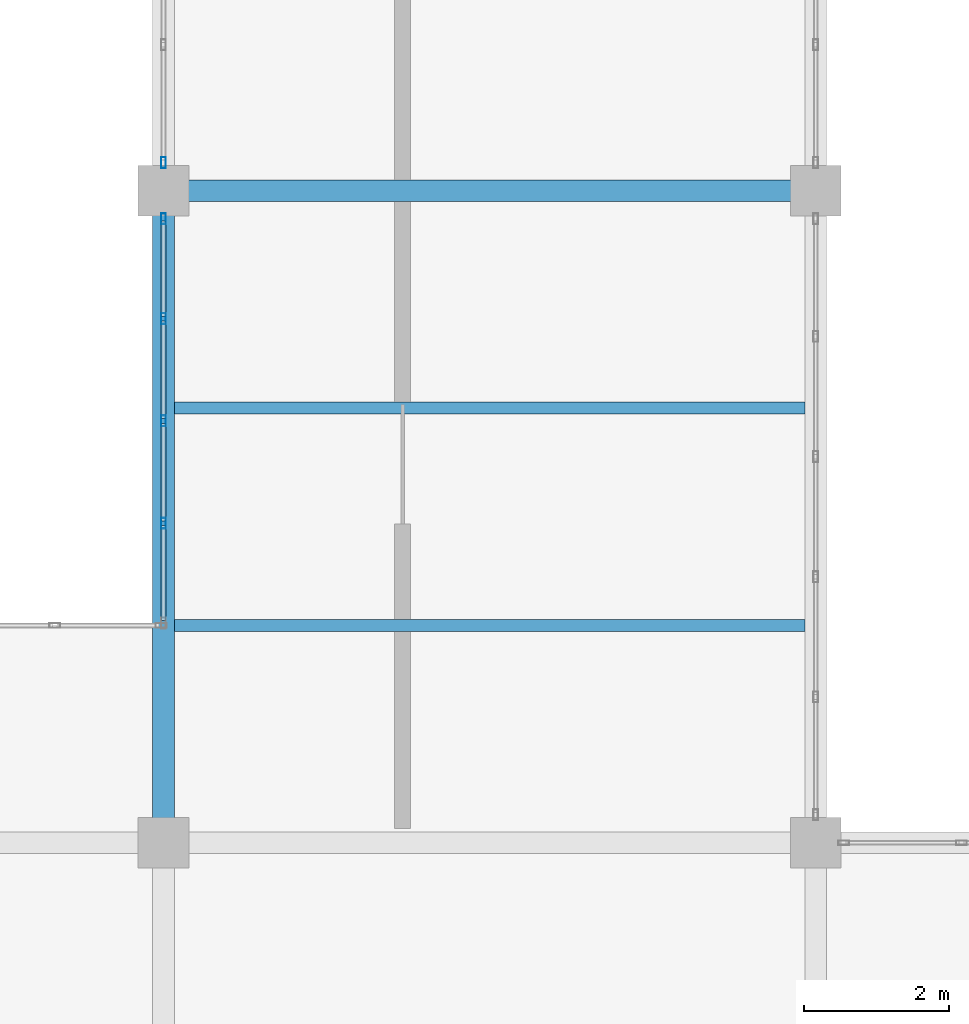
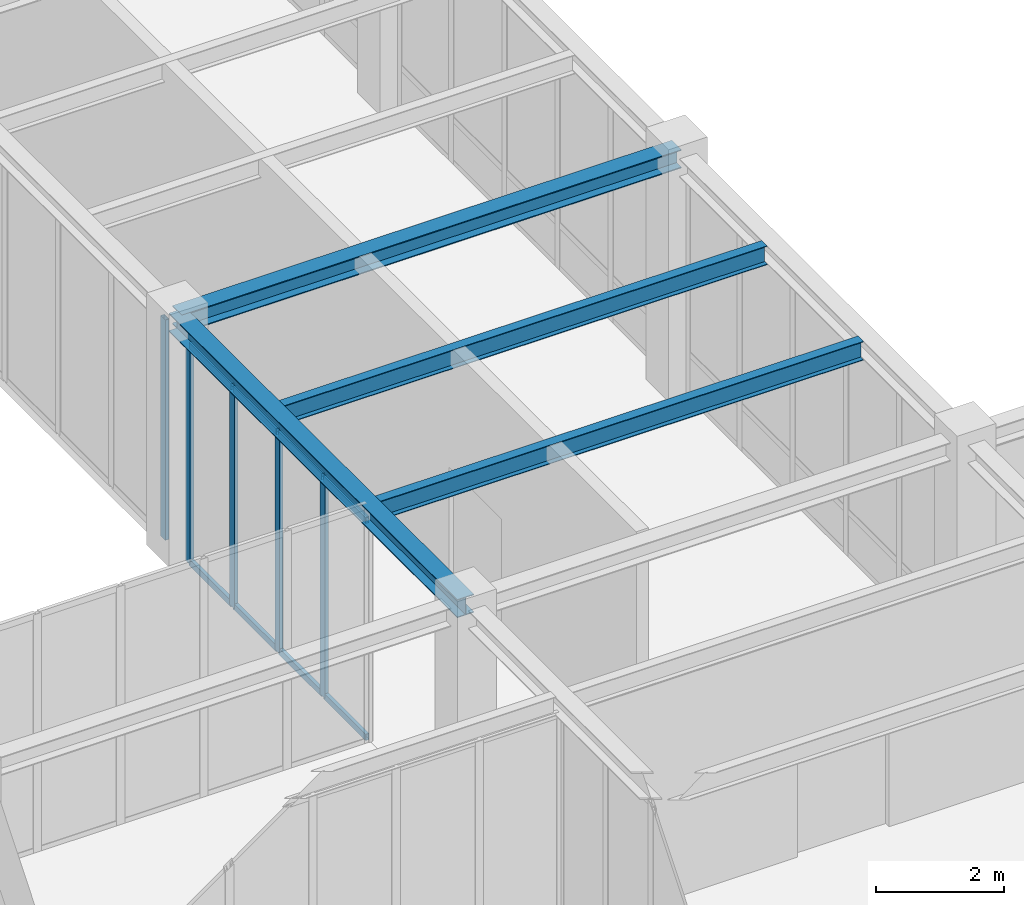
# One storey, part 37 of 92: 13 members, 4 beams, 2 elements without a shape of their own.
"""IFC4 building model written with IfcOpenShell, lengths in metres."""

from ifc_helpers import new_model, si_unit, direction, frame, origin, origin_2d, place, context, subcontext, project, spatial, hollow_rectangle, i_section, extrude, material, material_profile, profile_set, type_object, element, aggregate, save


model = new_model("IFC4")

# Units and contexts
model_context = context("Model", 3, precision=1e-05, world=origin(), true_north=direction((0.0, 1.0)))
body_context = subcontext(model_context, "Body", "Model", "MODEL_VIEW")
ifc_project = project(units=[si_unit("LENGTHUNIT", "METRE"), si_unit("AREAUNIT", "SQUARE_METRE"), si_unit("VOLUMEUNIT", "CUBIC_METRE"), si_unit("PLANEANGLEUNIT", "RADIAN"), si_unit("MASSUNIT", "GRAM", prefix="KILO")], contexts=[model_context])

# Site, building, storey
site_placement = place(None, origin())
site = spatial("IfcSite", under=ifc_project, at=site_placement, CompositionType="ELEMENT")
building_placement = place(site_placement, origin())
building = spatial("IfcBuilding", under=site, at=building_placement, Name="Lykobir Media Centre", CompositionType="ELEMENT")
storey_placement = place(building_placement, frame((0.0, 0.0, 5.39990234375)))
storey = spatial("IfcBuildingStorey", under=building, at=storey_placement, Name="L01", CompositionType="ELEMENT", Elevation=5.39990234375)

# Curtain wall, members
ifc_material_1 = material(Name="Anodized Aluminium AW-6060", Category="aluminium")
curtain_wall_type = type_object("IfcCurtainWallType", Name="CW-BRIDGE", PredefinedType="NOTDEFINED", material=ifc_material_1)
curtain_wall_1_placement = place(storey_placement, origin())
curtain_wall_1 = element("IfcCurtainWall", 1, at=curtain_wall_1_placement, inside=storey, type_object=curtain_wall_type, Name="Curtain wall CW2-L01-0037", PredefinedType="NOTDEFINED")
ifc_material_profile_1 = material_profile(ifc_material_1, hollow_rectangle(XDim=0.06494140625, YDim=0.14990234375, WallThickness=0.00341796875, at=origin_2d()), Name="ALU MULLION 65x150")
ifc_profile_set_1 = profile_set([ifc_material_profile_1], Name="Anodized Aluminium AW-6060")
member_type_1 = type_object("IfcMemberType", Name="CWM-150", PredefinedType="MULLION", material=ifc_profile_set_1)
member_1_placement = place(storey_placement, frame((90.0, 22.4111328125, 0.0), z_axis=(0.0, 0.0, 1.0), x_axis=(-1.0, 0.0, 0.0)))
member_1 = element("IfcMember", 2, at=member_1_placement, type_object=member_type_1, Name="CW2-L01-0037 mullion 2", PredefinedType="MULLION", context=body_context, shape_type="SweptSolid", body=[
    extrude(hollow_rectangle(XDim=0.06494140625, YDim=0.14990234375, WallThickness=0.00341796875, at=origin_2d()), origin(), (0.0, 0.0, 1.0), 4.195068359375),
])
member_2_placement = place(storey_placement, frame((90.0, 23.822509765625, 0.0), z_axis=(0.0, 0.0, 1.0), x_axis=(-1.0, 0.0, 0.0)))
member_2 = element("IfcMember", 3, at=member_2_placement, type_object=member_type_1, Name="CW2-L01-0037 mullion 3", PredefinedType="MULLION", context=body_context, shape_type="SweptSolid", body=[
    extrude(hollow_rectangle(XDim=0.06494140625, YDim=0.14990234375, WallThickness=0.00341796875, at=origin_2d()), origin(), (0.0, 0.0, 1.0), 4.195068359375),
])
member_3_placement = place(storey_placement, frame((90.0, 25.23388671875, 0.0), z_axis=(0.0, 0.0, 1.0), x_axis=(-1.0, 0.0, 0.0)))
member_3 = element("IfcMember", 4, at=member_3_placement, type_object=member_type_1, Name="CW2-L01-0037 mullion 4", PredefinedType="MULLION", context=body_context, shape_type="SweptSolid", body=[
    extrude(hollow_rectangle(XDim=0.06494140625, YDim=0.14990234375, WallThickness=0.00341796875, at=origin_2d()), origin(), (0.0, 0.0, 1.0), 4.195068359375),
])
member_4_placement = place(storey_placement, frame((90.0, 26.612548828125, 0.0), z_axis=(0.0, 0.0, 1.0), x_axis=(-1.0, 0.0, 0.0)))
member_4 = element("IfcMember", 5, at=member_4_placement, type_object=member_type_1, Name="CW2-L01-0037 mullion 5", PredefinedType="MULLION", context=body_context, shape_type="SweptSolid", body=[
    extrude(hollow_rectangle(XDim=0.06494140625, YDim=0.14990234375, WallThickness=0.00341796875, at=origin_2d()), origin(), (0.0, 0.0, 1.0), 4.195068359375),
])

# Curtain wall, member
curtain_wall_2_placement = place(storey_placement, origin())
curtain_wall_2 = element("IfcCurtainWall", 6, at=curtain_wall_2_placement, inside=storey, type_object=curtain_wall_type, Name="Curtain wall CW2-L01-0038", PredefinedType="NOTDEFINED")
member_5_placement = place(storey_placement, frame((90.0, 27.387451171875, 0.0), z_axis=(0.0, 0.0, 1.0), x_axis=(-1.0, 0.0, 0.0)))
member_5 = element("IfcMember", 7, at=member_5_placement, type_object=member_type_1, Name="CW2-L01-0038 mullion 1", PredefinedType="MULLION", context=body_context, shape_type="SweptSolid", body=[
    extrude(hollow_rectangle(XDim=0.06494140625, YDim=0.14990234375, WallThickness=0.00341796875, at=origin_2d()), origin(), (0.0, 0.0, 1.0), 4.195068359375),
])
aggregate(curtain_wall_2, [member_5])

# Member
ifc_material_profile_2 = material_profile(ifc_material_1, hollow_rectangle(XDim=0.06494140625, YDim=0.1201171875, WallThickness=0.0029296875, at=origin_2d()), Name="ALU TRANSOM 65x120")
ifc_profile_set_2 = profile_set([ifc_material_profile_2], Name="Anodized Aluminium AW-6060")
member_type_2 = type_object("IfcMemberType", Name="CWT-120", PredefinedType="USERDEFINED", material=ifc_profile_set_2)
member_6_placement = place(storey_placement, frame((90.0, 21.06494140625, 0.03271484375), z_axis=(0.0, 1.0, 0.0), x_axis=(-1.0, 0.0, 0.0)))
member_6 = element("IfcMember", 8, at=member_6_placement, type_object=member_type_2, Name="CW2-L01-0037 transom 1.1", ObjectType="TRANSOM", PredefinedType="USERDEFINED", context=body_context, shape_type="SweptSolid", body=[
    extrude(hollow_rectangle(XDim=0.06494140625, YDim=0.1201171875, WallThickness=0.0029296875, at=origin_2d()), origin(), (0.0, 0.0, 1.0), 1.31396484375),
])

member_7_placement = place(storey_placement, frame((90.0, 21.06494140625, 4.16259765625), z_axis=(0.0, 1.0, 0.0), x_axis=(-1.0, 0.0, 0.0)))
member_7 = element("IfcMember", 9, at=member_7_placement, type_object=member_type_2, Name="CW2-L01-0037 transom 1.2", ObjectType="TRANSOM", PredefinedType="USERDEFINED", context=body_context, shape_type="SweptSolid", body=[
    extrude(hollow_rectangle(XDim=0.06494140625, YDim=0.1201171875, WallThickness=0.0029296875, at=origin_2d()), origin(), (0.0, 0.0, 1.0), 1.31396484375),
])

member_8_placement = place(storey_placement, frame((90.0, 22.44384765625, 0.03271484375), z_axis=(0.0, 1.0, 0.0), x_axis=(-1.0, 0.0, 0.0)))
member_8 = element("IfcMember", 10, at=member_8_placement, type_object=member_type_2, Name="CW2-L01-0037 transom 2.1", ObjectType="TRANSOM", PredefinedType="USERDEFINED", context=body_context, shape_type="SweptSolid", body=[
    extrude(hollow_rectangle(XDim=0.06494140625, YDim=0.1201171875, WallThickness=0.0029296875, at=origin_2d()), origin(), (0.0, 0.0, 1.0), 1.34619140625),
])

member_9_placement = place(storey_placement, frame((90.0, 22.44384765625, 4.16259765625), z_axis=(0.0, 1.0, 0.0), x_axis=(-1.0, 0.0, 0.0)))
member_9 = element("IfcMember", 11, at=member_9_placement, type_object=member_type_2, Name="CW2-L01-0037 transom 2.2", ObjectType="TRANSOM", PredefinedType="USERDEFINED", context=body_context, shape_type="SweptSolid", body=[
    extrude(hollow_rectangle(XDim=0.06494140625, YDim=0.1201171875, WallThickness=0.0029296875, at=origin_2d()), origin(), (0.0, 0.0, 1.0), 1.34619140625),
])

member_10_placement = place(storey_placement, frame((90.0, 23.85498046875, 0.03271484375), z_axis=(0.0, 1.0, 0.0), x_axis=(-1.0, 0.0, 0.0)))
member_10 = element("IfcMember", 12, at=member_10_placement, type_object=member_type_2, Name="CW2-L01-0037 transom 3.1", ObjectType="TRANSOM", PredefinedType="USERDEFINED", context=body_context, shape_type="SweptSolid", body=[
    extrude(hollow_rectangle(XDim=0.06494140625, YDim=0.1201171875, WallThickness=0.0029296875, at=origin_2d()), origin(), (0.0, 0.0, 1.0), 1.346435546875),
])

member_11_placement = place(storey_placement, frame((90.0, 23.85498046875, 4.16259765625), z_axis=(0.0, 1.0, 0.0), x_axis=(-1.0, 0.0, 0.0)))
member_11 = element("IfcMember", 13, at=member_11_placement, type_object=member_type_2, Name="CW2-L01-0037 transom 3.2", ObjectType="TRANSOM", PredefinedType="USERDEFINED", context=body_context, shape_type="SweptSolid", body=[
    extrude(hollow_rectangle(XDim=0.06494140625, YDim=0.1201171875, WallThickness=0.0029296875, at=origin_2d()), origin(), (0.0, 0.0, 1.0), 1.346435546875),
])

member_12_placement = place(storey_placement, frame((90.0, 25.26611328125, 0.03271484375), z_axis=(0.0, 1.0, 0.0), x_axis=(-1.0, 0.0, 0.0)))
member_12 = element("IfcMember", 14, at=member_12_placement, type_object=member_type_2, Name="CW2-L01-0037 transom 4.1", ObjectType="TRANSOM", PredefinedType="USERDEFINED", context=body_context, shape_type="SweptSolid", body=[
    extrude(hollow_rectangle(XDim=0.06494140625, YDim=0.1201171875, WallThickness=0.0029296875, at=origin_2d()), origin(), (0.0, 0.0, 1.0), 1.31396484375),
])

member_13_placement = place(storey_placement, frame((90.0, 25.26611328125, 4.16259765625), z_axis=(0.0, 1.0, 0.0), x_axis=(-1.0, 0.0, 0.0)))
member_13 = element("IfcMember", 15, at=member_13_placement, type_object=member_type_2, Name="CW2-L01-0037 transom 4.2", ObjectType="TRANSOM", PredefinedType="USERDEFINED", context=body_context, shape_type="SweptSolid", body=[
    extrude(hollow_rectangle(XDim=0.06494140625, YDim=0.1201171875, WallThickness=0.0029296875, at=origin_2d()), origin(), (0.0, 0.0, 1.0), 1.31396484375),
])

aggregate(curtain_wall_1, [member_1, member_2, member_3, member_4, member_6, member_7, member_8, member_9, member_10, member_11, member_12, member_13])

# Beams
ifc_material_2 = material(Name="Steel S355", Category="steel")
ifc_material_profile_3 = material_profile(ifc_material_2, i_section(OverallWidth=0.169921875, OverallDepth=0.360107421875, WebThickness=0.008056640625, FlangeThickness=0.0126953125, at=origin_2d()), Name="IPE 360")
ifc_profile_set_3 = profile_set([ifc_material_profile_3], Name="Steel S355")
beam_type_1 = type_object("IfcBeamType", Name="JS-IPE360", PredefinedType="JOIST", material=ifc_profile_set_3)
for number, where, z_axis, x_axis, name in (
    (16, (90.14990234375, 21.0, 4.380126953125), (1.0, 0.0, 0.0), (0.0, 1.0, 0.0), "Beam BM-L01-0902-0210-0988-0210-978"),
    (17, (90.14990234375, 24.0, 4.380126953125), (1.0, 0.0, 0.0), (0.0, 1.0, 0.0), "Beam BM-L01-0902-0240-0988-0240-978"),
):
    element("IfcBeam", number, at=place(storey_placement, frame(where, z_axis=z_axis, x_axis=x_axis)), inside=storey, type_object=beam_type_1, Name=name, PredefinedType="JOIST", context=body_context, shape_type="SweptSolid", body=[
        extrude(i_section(OverallWidth=0.169921875, OverallDepth=0.360107421875, WebThickness=0.008056640625, FlangeThickness=0.0126953125, at=origin_2d()), origin(), (0.0, 0.0, 1.0), 8.7001953125),
    ])
ifc_material_profile_4 = material_profile(ifc_material_2, i_section(OverallWidth=0.300048828125, OverallDepth=0.35009765625, WebThickness=0.010009765625, FlangeThickness=0.017578125, at=origin_2d()), Name="HEA 360")
ifc_profile_set_4 = profile_set([ifc_material_profile_4], Name="Steel S355")
beam_type_2 = type_object("IfcBeamType", Name="SP-HEA360", PredefinedType="SPANDREL", material=ifc_profile_set_4)
beam_1_placement = place(storey_placement, frame((90.0, 27.0, 4.385009765625), z_axis=(1.0, 0.0, 0.0), x_axis=(0.0, 1.0, 0.0)))
element("IfcBeam", 18, at=beam_1_placement, inside=storey, type_object=beam_type_2, Name="Beam BM-L01-0900-0270-0990-0270-978", PredefinedType="SPANDREL", context=body_context, shape_type="SweptSolid", body=[
    extrude(i_section(OverallWidth=0.300048828125, OverallDepth=0.35009765625, WebThickness=0.010009765625, FlangeThickness=0.017578125, at=origin_2d()), origin(), (0.0, 0.0, 1.0), 9.0),
])
ifc_material_profile_5 = material_profile(ifc_material_2, i_section(OverallWidth=0.300048828125, OverallDepth=0.35009765625, WebThickness=0.010009765625, FlangeThickness=0.017578125, at=origin_2d()), Name="HEA 360")
ifc_profile_set_5 = profile_set([ifc_material_profile_5], Name="Steel S355")
beam_type_3 = type_object("IfcBeamType", Name="SP-HEA360-E", PredefinedType="SPANDREL", material=ifc_profile_set_5)
beam_2_placement = place(storey_placement, frame((90.0, 18.0, 4.385009765625), z_axis=(0.0, 1.0, 0.0), x_axis=(-1.0, 0.0, 0.0)))
element("IfcBeam", 19, at=beam_2_placement, inside=storey, type_object=beam_type_3, Name="Beam BM-L01-0900-0180-0900-0270-978", PredefinedType="SPANDREL", context=body_context, shape_type="SweptSolid", body=[
    extrude(i_section(OverallWidth=0.300048828125, OverallDepth=0.35009765625, WebThickness=0.010009765625, FlangeThickness=0.017578125, at=origin_2d()), origin(), (0.0, 0.0, 1.0), 9.0),
])

save(model, "model.ifc")
